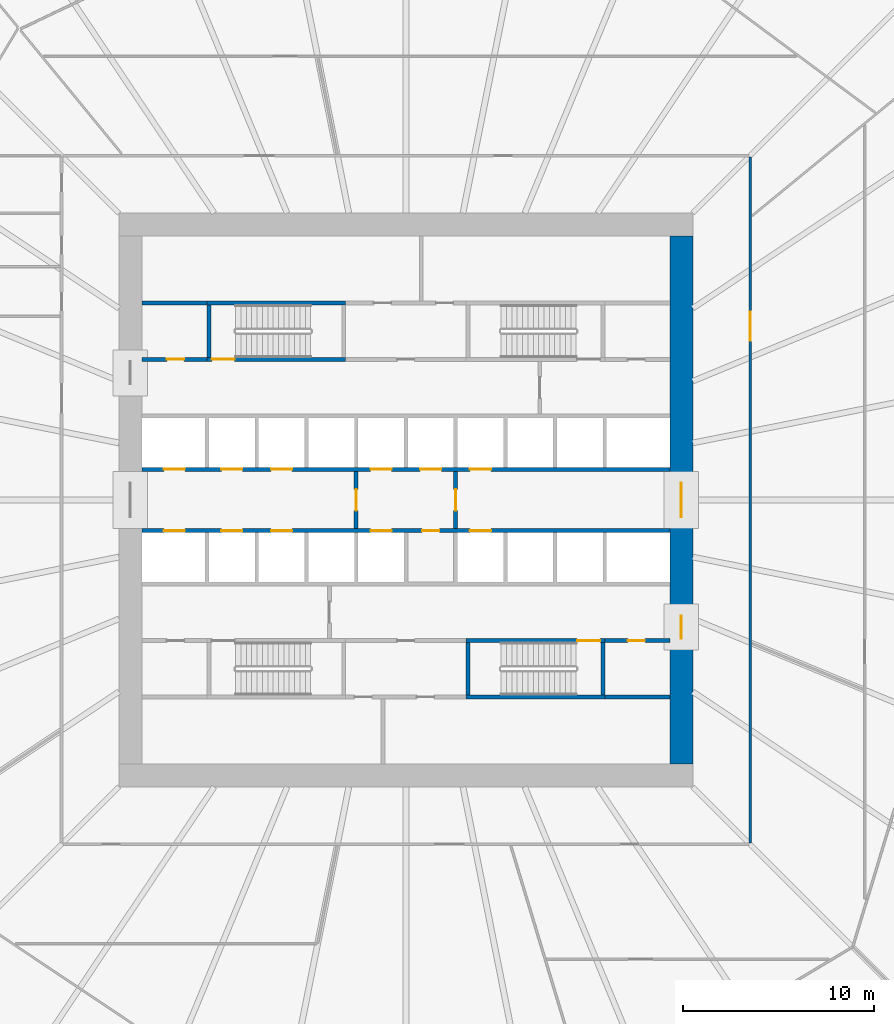
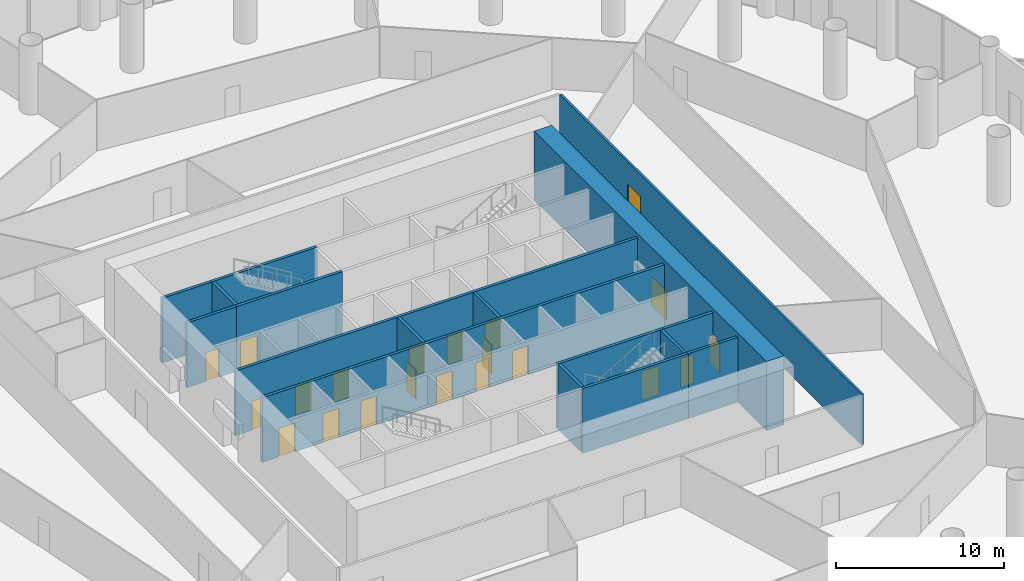
# One storey, part 24 of 35: 21 doors, 17 walls, 21 openings.
"""IFC4 building model written with IfcOpenShell, lengths in metres."""

from ifc_helpers import new_model, si_unit, direction, frame, frame_2d, origin, place, context, subcontext, project, spatial, polyline, rectangle, outline, extrude, material, layer, layer_set, type_object, element, fill, save


model = new_model("IFC4")

# Units and contexts
model_context = context("Model", 3, precision=1e-05, world=origin(), true_north=direction((0.0, 1.0)))
body_context = subcontext(model_context, "Body", "Model", "MODEL_VIEW")
ifc_project = project(units=[si_unit("LENGTHUNIT", "METRE"), si_unit("AREAUNIT", "SQUARE_METRE"), si_unit("VOLUMEUNIT", "CUBIC_METRE"), si_unit("PLANEANGLEUNIT", "RADIAN"), si_unit("MASSUNIT", "GRAM", prefix="KILO")], contexts=[model_context])

# Site, building, storey
site_placement = place(None, origin())
site = spatial("IfcSite", under=ifc_project, at=site_placement, CompositionType="ELEMENT")
building_placement = place(site_placement, origin())
building = spatial("IfcBuilding", under=site, at=building_placement, Name="Corvane Civic Tower", CompositionType="ELEMENT")
storey_placement = place(building_placement, frame((0.0, 0.0, 22.0)))
storey = spatial("IfcBuildingStorey", under=building, at=storey_placement, Name="L04", CompositionType="ELEMENT", Elevation=22.0)

# Wall, openings, doors
ifc_material_1 = material(Name="Concrete C80/95", Category="concrete")
ifc_layer_1 = layer(ifc_material_1, 1.199951171875)
ifc_layer_set_1 = layer_set([ifc_layer_1], Name="Concrete C80/95")
wall_type_1 = type_object("IfcWallType", Name="CORE WALL 1200 C80/95", PredefinedType="SHEAR", material=ifc_layer_set_1)
wall_1_placement = place(storey_placement, frame((14.39990234375, -13.800048828125, 0.0), z_axis=(0.0, 0.0, 1.0), x_axis=(0.0, 1.0, 0.0)))
wall_1 = element("IfcWall", 1, at=wall_1_placement, inside=storey, type_object=wall_type_1, Name="W-L04-core-E", PredefinedType="SHEAR", context=body_context, shape_type="SweptSolid", body=[
    extrude(rectangle(XDim=27.60009765625, YDim=1.199951171875, at=frame_2d((13.800048828125, 0.0))), origin(), (0.0, 0.0, 1.0), 5.0),
])
opening_1_placement = place(wall_1_placement, frame((12.89990234375, 0.0, 0.0)))
opening_1 = element("IfcOpeningElement", 2, at=opening_1_placement, cuts=wall_1, Name="Opening L04.C21", PredefinedType="OPENING", context=body_context, shape_type="SweptSolid", body=[
    extrude(rectangle(XDim=1.800048828125, YDim=2.10009765625, at=frame_2d((0.89990234375, 1.050048828125))), frame((0.0, 0.60986328125, 0.0), z_axis=(0.0, -1.0, 0.0), x_axis=(1.0, 0.0, 0.0)), (0.0, 0.0, 1.0), 1.219970703125),
])
opening_2_placement = place(wall_1_placement, frame((6.550048828125, 0.0, 0.0)))
opening_2 = element("IfcOpeningElement", 3, at=opening_2_placement, cuts=wall_1, Name="Opening L04.C23", PredefinedType="OPENING", context=body_context, shape_type="SweptSolid", body=[
    extrude(rectangle(XDim=1.199951171875, YDim=2.10009765625, at=frame_2d((0.60009765625, 1.050048828125))), frame((0.0, 0.60986328125, 0.0), z_axis=(0.0, -1.0, 0.0), x_axis=(1.0, 0.0, 0.0)), (0.0, 0.0, 1.0), 1.219970703125),
])
ifc_material_2 = material(Name="Steel fire door leaf", Category="steel")
door_type_1 = type_object("IfcDoorType", Name="CR-DOOR-CORE-1800", OperationType="DOUBLE_DOOR_SINGLE_SWING", PredefinedType="DOOR", material=ifc_material_2)
door_1_placement = place(opening_1_placement, origin())
door_1 = element("IfcDoor", 4, at=door_1_placement, inside=storey, type_object=door_type_1, Name="L04 door", OperationType="DOUBLE_DOOR_SINGLE_SWING", OverallHeight=2.10009765625, OverallWidth=1.800048828125, PredefinedType="DOOR", context=body_context, shape_type="SweptSolid", body=[
    extrude(rectangle(XDim=1.800048828125, YDim=2.10009765625, at=frame_2d((0.89990234375, 1.050048828125))), frame((0.0, 0.02490234375, 0.0), z_axis=(0.0, -1.0, 0.0), x_axis=(1.0, 0.0, 0.0)), (0.0, 0.0, 1.0), 0.050048828125),
])
fill(opening_1, door_1)
door_2_placement = place(opening_2_placement, origin())
door_2 = element("IfcDoor", 5, at=door_2_placement, inside=storey, type_object=door_type_1, Name="L04 door", OperationType="DOUBLE_DOOR_SINGLE_SWING", OverallHeight=2.10009765625, OverallWidth=1.199951171875, PredefinedType="DOOR", context=body_context, shape_type="SweptSolid", body=[
    extrude(rectangle(XDim=1.199951171875, YDim=2.10009765625, at=frame_2d((0.60009765625, 1.050048828125))), frame((0.0, 0.02490234375, 0.0), z_axis=(0.0, -1.0, 0.0), x_axis=(1.0, 0.0, 0.0)), (0.0, 0.0, 1.0), 0.050048828125),
])
fill(opening_2, door_2)

# Wall, opening, door
ifc_material_3 = material(Name="Concrete C30/37", Category="concrete")
ifc_layer_2 = layer(ifc_material_3, 0.199951171875)
ifc_layer_set_2 = layer_set([ifc_layer_2], Name="Concrete C30/37")
wall_type_2 = type_object("IfcWallType", Name="CR-WALL-200", PredefinedType="PARTITIONING", material=ifc_layer_set_2)
wall_2_placement = place(storey_placement, frame((10.39990234375, -7.35009765625, 0.0), z_axis=(0.0, 0.0, 1.0), x_axis=(1.0, 0.0, 0.0)))
wall_2 = element("IfcWall", 6, at=wall_2_placement, inside=storey, type_object=wall_type_2, Name="L04 core partition wall", PredefinedType="PARTITIONING", context=body_context, shape_type="SweptSolid", body=[
    extrude(rectangle(XDim=3.400146484375, YDim=0.199951171875, at=frame_2d((1.7001953125, 0.0))), origin(), (0.0, 0.0, 1.0), 4.699951171875),
])
opening_3_placement = place(wall_2_placement, frame((1.199951171875, 0.0, 0.0)))
opening_3 = element("IfcOpeningElement", 7, at=opening_3_placement, cuts=wall_2, Name="Opening L04.C11", PredefinedType="OPENING", context=body_context, shape_type="SweptSolid", body=[
    extrude(rectangle(XDim=0.89990234375, YDim=2.10009765625, at=frame_2d((0.449951171875, 1.050048828125))), frame((0.0, 0.10986328125, 0.0), z_axis=(0.0, -1.0, 0.0), x_axis=(1.0, 0.0, 0.0)), (0.0, 0.0, 1.0), 0.219970703125),
])
ifc_material_4 = material(Name="Steel fire door leaf", Category="steel")
door_type_2 = type_object("IfcDoorType", Name="CR-DOOR-900", OperationType="SINGLE_SWING_LEFT", PredefinedType="DOOR", material=ifc_material_4)
door_3_placement = place(opening_3_placement, origin())
door_3 = element("IfcDoor", 8, at=door_3_placement, inside=storey, type_object=door_type_2, Name="L04 door", OperationType="SINGLE_SWING_LEFT", OverallHeight=2.10009765625, OverallWidth=0.89990234375, PredefinedType="DOOR", context=body_context, shape_type="SweptSolid", body=[
    extrude(rectangle(XDim=0.89990234375, YDim=2.10009765625, at=frame_2d((0.449951171875, 1.050048828125))), frame((0.0, 0.02490234375, 0.0), z_axis=(0.0, -1.0, 0.0), x_axis=(1.0, 0.0, 0.0)), (0.0, 0.0, 1.0), 0.050048828125),
])
fill(opening_3, door_3)

# Wall, openings, doors
wall_3_placement = place(storey_placement, frame((-13.800048828125, -1.60009765625, 0.0), z_axis=(0.0, 0.0, 1.0), x_axis=(1.0, 0.0, 0.0)))
wall_3 = element("IfcWall", 9, at=wall_3_placement, inside=storey, type_object=wall_type_2, Name="L04 lift shaft wall", PredefinedType="PARTITIONING", context=body_context, shape_type="SweptSolid", body=[
    extrude(rectangle(XDim=27.60009765625, YDim=0.199951171875, at=frame_2d((13.800048828125, 0.0))), origin(), (0.0, 0.0, 1.0), 4.699951171875),
])
opening_4_placement = place(wall_3_placement, frame((1.14990234375, 0.0, 0.0)))
opening_4 = element("IfcOpeningElement", 10, at=opening_4_placement, cuts=wall_3, Name="Opening LD", PredefinedType="OPENING", context=body_context, shape_type="SweptSolid", body=[
    extrude(rectangle(XDim=1.10009765625, YDim=2.10009765625, at=frame_2d((0.550048828125, 1.050048828125))), frame((0.0, 0.10986328125, 0.0), z_axis=(0.0, -1.0, 0.0), x_axis=(1.0, 0.0, 0.0)), (0.0, 0.0, 1.0), 0.219970703125),
])
opening_5_placement = place(wall_3_placement, frame((4.14990234375, 0.0, 0.0)))
opening_5 = element("IfcOpeningElement", 11, at=opening_5_placement, cuts=wall_3, Name="Opening LD", PredefinedType="OPENING", context=body_context, shape_type="SweptSolid", body=[
    extrude(rectangle(XDim=1.10009765625, YDim=2.10009765625, at=frame_2d((0.550048828125, 1.050048828125))), frame((0.0, 0.10986328125, 0.0), z_axis=(0.0, -1.0, 0.0), x_axis=(1.0, 0.0, 0.0)), (0.0, 0.0, 1.0), 0.219970703125),
])
opening_6_placement = place(wall_3_placement, frame((6.75, 0.0, 0.0)))
opening_6 = element("IfcOpeningElement", 12, at=opening_6_placement, cuts=wall_3, Name="Opening LD", PredefinedType="OPENING", context=body_context, shape_type="SweptSolid", body=[
    extrude(rectangle(XDim=1.10009765625, YDim=2.10009765625, at=frame_2d((0.550048828125, 1.050048828125))), frame((0.0, 0.10986328125, 0.0), z_axis=(0.0, -1.0, 0.0), x_axis=(1.0, 0.0, 0.0)), (0.0, 0.0, 1.0), 0.219970703125),
])
opening_7_placement = place(wall_3_placement, frame((11.949951171875, 0.0, 0.0)))
opening_7 = element("IfcOpeningElement", 13, at=opening_7_placement, cuts=wall_3, Name="Opening LD", PredefinedType="OPENING", context=body_context, shape_type="SweptSolid", body=[
    extrude(rectangle(XDim=1.10009765625, YDim=2.10009765625, at=frame_2d((0.550048828125, 1.050048828125))), frame((0.0, 0.10986328125, 0.0), z_axis=(0.0, -1.0, 0.0), x_axis=(1.0, 0.0, 0.0)), (0.0, 0.0, 1.0), 0.219970703125),
])
opening_8_placement = place(wall_3_placement, frame((14.64990234375, 0.0, 0.0)))
opening_8 = element("IfcOpeningElement", 14, at=opening_8_placement, cuts=wall_3, Name="Opening L04.C01", PredefinedType="OPENING", context=body_context, shape_type="SweptSolid", body=[
    extrude(rectangle(XDim=0.89990234375, YDim=2.10009765625, at=frame_2d((0.449951171875, 1.050048828125))), frame((0.0, 0.10986328125, 0.0), z_axis=(0.0, -1.0, 0.0), x_axis=(1.0, 0.0, 0.0)), (0.0, 0.0, 1.0), 0.219970703125),
])
opening_9_placement = place(wall_3_placement, frame((17.14990234375, 0.0, 0.0)))
opening_9 = element("IfcOpeningElement", 15, at=opening_9_placement, cuts=wall_3, Name="Opening LD", PredefinedType="OPENING", context=body_context, shape_type="SweptSolid", body=[
    extrude(rectangle(XDim=1.10009765625, YDim=2.10009765625, at=frame_2d((0.550048828125, 1.050048828125))), frame((0.0, 0.10986328125, 0.0), z_axis=(0.0, -1.0, 0.0), x_axis=(1.0, 0.0, 0.0)), (0.0, 0.0, 1.0), 0.219970703125),
])
door_4_placement = place(opening_8_placement, origin())
door_4 = element("IfcDoor", 16, at=door_4_placement, inside=storey, type_object=door_type_2, Name="L04 door", OperationType="SINGLE_SWING_LEFT", OverallHeight=2.10009765625, OverallWidth=0.89990234375, PredefinedType="DOOR", context=body_context, shape_type="SweptSolid", body=[
    extrude(rectangle(XDim=0.89990234375, YDim=2.10009765625, at=frame_2d((0.449951171875, 1.050048828125))), frame((0.0, 0.02490234375, 0.0), z_axis=(0.0, -1.0, 0.0), x_axis=(1.0, 0.0, 0.0)), (0.0, 0.0, 1.0), 0.050048828125),
])
fill(opening_8, door_4)
ifc_material_5 = material(Name="Stainless steel 316 door leaves", Category="steel")
door_type_3 = type_object("IfcDoorType", Name="LD", OperationType="DOUBLE_DOOR_SLIDING", PredefinedType="DOOR", material=ifc_material_5)
door_5_placement = place(opening_4_placement, origin())
door_5 = element("IfcDoor", 17, at=door_5_placement, inside=storey, type_object=door_type_3, Name="L04 landing door", OperationType="DOUBLE_DOOR_SLIDING", OverallHeight=2.10009765625, OverallWidth=1.10009765625, PredefinedType="DOOR", context=body_context, shape_type="SweptSolid", body=[
    extrude(rectangle(XDim=1.10009765625, YDim=2.10009765625, at=frame_2d((0.550048828125, 1.050048828125))), frame((0.0, 0.02490234375, 0.0), z_axis=(0.0, -1.0, 0.0), x_axis=(1.0, 0.0, 0.0)), (0.0, 0.0, 1.0), 0.050048828125),
])
fill(opening_4, door_5)
door_6_placement = place(opening_5_placement, origin())
door_6 = element("IfcDoor", 18, at=door_6_placement, inside=storey, type_object=door_type_3, Name="L04 landing door", OperationType="DOUBLE_DOOR_SLIDING", OverallHeight=2.10009765625, OverallWidth=1.10009765625, PredefinedType="DOOR", context=body_context, shape_type="SweptSolid", body=[
    extrude(rectangle(XDim=1.10009765625, YDim=2.10009765625, at=frame_2d((0.550048828125, 1.050048828125))), frame((0.0, 0.02490234375, 0.0), z_axis=(0.0, -1.0, 0.0), x_axis=(1.0, 0.0, 0.0)), (0.0, 0.0, 1.0), 0.050048828125),
])
fill(opening_5, door_6)
door_7_placement = place(opening_6_placement, origin())
door_7 = element("IfcDoor", 19, at=door_7_placement, inside=storey, type_object=door_type_3, Name="L04 landing door", OperationType="DOUBLE_DOOR_SLIDING", OverallHeight=2.10009765625, OverallWidth=1.10009765625, PredefinedType="DOOR", context=body_context, shape_type="SweptSolid", body=[
    extrude(rectangle(XDim=1.10009765625, YDim=2.10009765625, at=frame_2d((0.550048828125, 1.050048828125))), frame((0.0, 0.02490234375, 0.0), z_axis=(0.0, -1.0, 0.0), x_axis=(1.0, 0.0, 0.0)), (0.0, 0.0, 1.0), 0.050048828125),
])
fill(opening_6, door_7)
door_8_placement = place(opening_7_placement, origin())
door_8 = element("IfcDoor", 20, at=door_8_placement, inside=storey, type_object=door_type_3, Name="L04 landing door", OperationType="DOUBLE_DOOR_SLIDING", OverallHeight=2.10009765625, OverallWidth=1.10009765625, PredefinedType="DOOR", context=body_context, shape_type="SweptSolid", body=[
    extrude(rectangle(XDim=1.10009765625, YDim=2.10009765625, at=frame_2d((0.550048828125, 1.050048828125))), frame((0.0, 0.02490234375, 0.0), z_axis=(0.0, -1.0, 0.0), x_axis=(1.0, 0.0, 0.0)), (0.0, 0.0, 1.0), 0.050048828125),
])
fill(opening_7, door_8)
door_9_placement = place(opening_9_placement, origin())
door_9 = element("IfcDoor", 21, at=door_9_placement, inside=storey, type_object=door_type_3, Name="L04 landing door", OperationType="DOUBLE_DOOR_SLIDING", OverallHeight=2.10009765625, OverallWidth=1.10009765625, PredefinedType="DOOR", context=body_context, shape_type="SweptSolid", body=[
    extrude(rectangle(XDim=1.10009765625, YDim=2.10009765625, at=frame_2d((0.550048828125, 1.050048828125))), frame((0.0, 0.02490234375, 0.0), z_axis=(0.0, -1.0, 0.0), x_axis=(1.0, 0.0, 0.0)), (0.0, 0.0, 1.0), 0.050048828125),
])
fill(opening_9, door_9)

wall_4_placement = place(storey_placement, frame((-13.800048828125, 1.60009765625, 0.0), z_axis=(0.0, 0.0, 1.0), x_axis=(1.0, 0.0, 0.0)))
wall_4 = element("IfcWall", 22, at=wall_4_placement, inside=storey, type_object=wall_type_2, Name="L04 lift shaft wall", PredefinedType="PARTITIONING", context=body_context, shape_type="SweptSolid", body=[
    extrude(rectangle(XDim=27.60009765625, YDim=0.199951171875, at=frame_2d((13.800048828125, 0.0))), origin(), (0.0, 0.0, 1.0), 4.699951171875),
])
opening_10_placement = place(wall_4_placement, frame((1.14990234375, 0.0, 0.0)))
opening_10 = element("IfcOpeningElement", 23, at=opening_10_placement, cuts=wall_4, Name="Opening LD", PredefinedType="OPENING", context=body_context, shape_type="SweptSolid", body=[
    extrude(rectangle(XDim=1.10009765625, YDim=2.10009765625, at=frame_2d((0.550048828125, 1.050048828125))), frame((0.0, 0.10986328125, 0.0), z_axis=(0.0, -1.0, 0.0), x_axis=(1.0, 0.0, 0.0)), (0.0, 0.0, 1.0), 0.219970703125),
])
opening_11_placement = place(wall_4_placement, frame((4.14990234375, 0.0, 0.0)))
opening_11 = element("IfcOpeningElement", 24, at=opening_11_placement, cuts=wall_4, Name="Opening LD", PredefinedType="OPENING", context=body_context, shape_type="SweptSolid", body=[
    extrude(rectangle(XDim=1.10009765625, YDim=2.10009765625, at=frame_2d((0.550048828125, 1.050048828125))), frame((0.0, 0.10986328125, 0.0), z_axis=(0.0, -1.0, 0.0), x_axis=(1.0, 0.0, 0.0)), (0.0, 0.0, 1.0), 0.219970703125),
])
opening_12_placement = place(wall_4_placement, frame((6.75, 0.0, 0.0)))
opening_12 = element("IfcOpeningElement", 25, at=opening_12_placement, cuts=wall_4, Name="Opening LD", PredefinedType="OPENING", context=body_context, shape_type="SweptSolid", body=[
    extrude(rectangle(XDim=1.10009765625, YDim=2.10009765625, at=frame_2d((0.550048828125, 1.050048828125))), frame((0.0, 0.10986328125, 0.0), z_axis=(0.0, -1.0, 0.0), x_axis=(1.0, 0.0, 0.0)), (0.0, 0.0, 1.0), 0.219970703125),
])
opening_13_placement = place(wall_4_placement, frame((11.949951171875, 0.0, 0.0)))
opening_13 = element("IfcOpeningElement", 26, at=opening_13_placement, cuts=wall_4, Name="Opening LD", PredefinedType="OPENING", context=body_context, shape_type="SweptSolid", body=[
    extrude(rectangle(XDim=1.10009765625, YDim=2.10009765625, at=frame_2d((0.550048828125, 1.050048828125))), frame((0.0, 0.10986328125, 0.0), z_axis=(0.0, -1.0, 0.0), x_axis=(1.0, 0.0, 0.0)), (0.0, 0.0, 1.0), 0.219970703125),
])
opening_14_placement = place(wall_4_placement, frame((14.550048828125, 0.0, 0.0)))
opening_14 = element("IfcOpeningElement", 27, at=opening_14_placement, cuts=wall_4, Name="Opening LD", PredefinedType="OPENING", context=body_context, shape_type="SweptSolid", body=[
    extrude(rectangle(XDim=1.10009765625, YDim=2.10009765625, at=frame_2d((0.550048828125, 1.050048828125))), frame((0.0, 0.10986328125, 0.0), z_axis=(0.0, -1.0, 0.0), x_axis=(1.0, 0.0, 0.0)), (0.0, 0.0, 1.0), 0.219970703125),
])
opening_15_placement = place(wall_4_placement, frame((17.14990234375, 0.0, 0.0)))
opening_15 = element("IfcOpeningElement", 28, at=opening_15_placement, cuts=wall_4, Name="Opening LD", PredefinedType="OPENING", context=body_context, shape_type="SweptSolid", body=[
    extrude(rectangle(XDim=1.10009765625, YDim=2.10009765625, at=frame_2d((0.550048828125, 1.050048828125))), frame((0.0, 0.10986328125, 0.0), z_axis=(0.0, -1.0, 0.0), x_axis=(1.0, 0.0, 0.0)), (0.0, 0.0, 1.0), 0.219970703125),
])
door_10_placement = place(opening_10_placement, origin())
door_10 = element("IfcDoor", 29, at=door_10_placement, inside=storey, type_object=door_type_3, Name="L04 landing door", OperationType="DOUBLE_DOOR_SLIDING", OverallHeight=2.10009765625, OverallWidth=1.10009765625, PredefinedType="DOOR", context=body_context, shape_type="SweptSolid", body=[
    extrude(rectangle(XDim=1.10009765625, YDim=2.10009765625, at=frame_2d((0.550048828125, 1.050048828125))), frame((0.0, 0.02490234375, 0.0), z_axis=(0.0, -1.0, 0.0), x_axis=(1.0, 0.0, 0.0)), (0.0, 0.0, 1.0), 0.050048828125),
])
fill(opening_10, door_10)
door_11_placement = place(opening_11_placement, origin())
door_11 = element("IfcDoor", 30, at=door_11_placement, inside=storey, type_object=door_type_3, Name="L04 landing door", OperationType="DOUBLE_DOOR_SLIDING", OverallHeight=2.10009765625, OverallWidth=1.10009765625, PredefinedType="DOOR", context=body_context, shape_type="SweptSolid", body=[
    extrude(rectangle(XDim=1.10009765625, YDim=2.10009765625, at=frame_2d((0.550048828125, 1.050048828125))), frame((0.0, 0.02490234375, 0.0), z_axis=(0.0, -1.0, 0.0), x_axis=(1.0, 0.0, 0.0)), (0.0, 0.0, 1.0), 0.050048828125),
])
fill(opening_11, door_11)
door_12_placement = place(opening_12_placement, origin())
door_12 = element("IfcDoor", 31, at=door_12_placement, inside=storey, type_object=door_type_3, Name="L04 landing door", OperationType="DOUBLE_DOOR_SLIDING", OverallHeight=2.10009765625, OverallWidth=1.10009765625, PredefinedType="DOOR", context=body_context, shape_type="SweptSolid", body=[
    extrude(rectangle(XDim=1.10009765625, YDim=2.10009765625, at=frame_2d((0.550048828125, 1.050048828125))), frame((0.0, 0.02490234375, 0.0), z_axis=(0.0, -1.0, 0.0), x_axis=(1.0, 0.0, 0.0)), (0.0, 0.0, 1.0), 0.050048828125),
])
fill(opening_12, door_12)
door_13_placement = place(opening_13_placement, origin())
door_13 = element("IfcDoor", 32, at=door_13_placement, inside=storey, type_object=door_type_3, Name="L04 landing door", OperationType="DOUBLE_DOOR_SLIDING", OverallHeight=2.10009765625, OverallWidth=1.10009765625, PredefinedType="DOOR", context=body_context, shape_type="SweptSolid", body=[
    extrude(rectangle(XDim=1.10009765625, YDim=2.10009765625, at=frame_2d((0.550048828125, 1.050048828125))), frame((0.0, 0.02490234375, 0.0), z_axis=(0.0, -1.0, 0.0), x_axis=(1.0, 0.0, 0.0)), (0.0, 0.0, 1.0), 0.050048828125),
])
fill(opening_13, door_13)
door_14_placement = place(opening_14_placement, origin())
door_14 = element("IfcDoor", 33, at=door_14_placement, inside=storey, type_object=door_type_3, Name="L04 landing door", OperationType="DOUBLE_DOOR_SLIDING", OverallHeight=2.10009765625, OverallWidth=1.10009765625, PredefinedType="DOOR", context=body_context, shape_type="SweptSolid", body=[
    extrude(rectangle(XDim=1.10009765625, YDim=2.10009765625, at=frame_2d((0.550048828125, 1.050048828125))), frame((0.0, 0.02490234375, 0.0), z_axis=(0.0, -1.0, 0.0), x_axis=(1.0, 0.0, 0.0)), (0.0, 0.0, 1.0), 0.050048828125),
])
fill(opening_14, door_14)
door_15_placement = place(opening_15_placement, origin())
door_15 = element("IfcDoor", 34, at=door_15_placement, inside=storey, type_object=door_type_3, Name="L04 landing door", OperationType="DOUBLE_DOOR_SLIDING", OverallHeight=2.10009765625, OverallWidth=1.10009765625, PredefinedType="DOOR", context=body_context, shape_type="SweptSolid", body=[
    extrude(rectangle(XDim=1.10009765625, YDim=2.10009765625, at=frame_2d((0.550048828125, 1.050048828125))), frame((0.0, 0.02490234375, 0.0), z_axis=(0.0, -1.0, 0.0), x_axis=(1.0, 0.0, 0.0)), (0.0, 0.0, 1.0), 0.050048828125),
])
fill(opening_15, door_15)

# Wall, opening, door
wall_5_placement = place(storey_placement, frame((-13.800048828125, 7.35009765625, 0.0), z_axis=(0.0, 0.0, 1.0), x_axis=(1.0, 0.0, 0.0)))
wall_5 = element("IfcWall", 35, at=wall_5_placement, inside=storey, type_object=wall_type_2, Name="L04 core partition wall", PredefinedType="PARTITIONING", context=body_context, shape_type="SweptSolid", body=[
    extrude(rectangle(XDim=3.400146484375, YDim=0.199951171875, at=frame_2d((1.7001953125, 0.0))), origin(), (0.0, 0.0, 1.0), 4.699951171875),
])
opening_16_placement = place(wall_5_placement, frame((1.300048828125, 0.0, 0.0)))
opening_16 = element("IfcOpeningElement", 36, at=opening_16_placement, cuts=wall_5, Name="Opening L04.C08", PredefinedType="OPENING", context=body_context, shape_type="SweptSolid", body=[
    extrude(rectangle(XDim=0.89990234375, YDim=2.10009765625, at=frame_2d((0.449951171875, 1.050048828125))), frame((0.0, 0.10986328125, 0.0), z_axis=(0.0, -1.0, 0.0), x_axis=(1.0, 0.0, 0.0)), (0.0, 0.0, 1.0), 0.219970703125),
])
door_16_placement = place(opening_16_placement, origin())
door_16 = element("IfcDoor", 37, at=door_16_placement, inside=storey, type_object=door_type_2, Name="L04 door", OperationType="SINGLE_SWING_LEFT", OverallHeight=2.10009765625, OverallWidth=0.89990234375, PredefinedType="DOOR", context=body_context, shape_type="SweptSolid", body=[
    extrude(rectangle(XDim=0.89990234375, YDim=2.10009765625, at=frame_2d((0.449951171875, 1.050048828125))), frame((0.0, 0.02490234375, 0.0), z_axis=(0.0, -1.0, 0.0), x_axis=(1.0, 0.0, 0.0)), (0.0, 0.0, 1.0), 0.050048828125),
])
fill(opening_16, door_16)

wall_6_placement = place(storey_placement, frame((-2.60009765625, -1.5, 0.0), z_axis=(0.0, 0.0, 1.0), x_axis=(0.0, 1.0, 0.0)))
wall_6 = element("IfcWall", 38, at=wall_6_placement, inside=storey, type_object=wall_type_2, Name="L04 firefighting lobby wall", PredefinedType="PARTITIONING", context=body_context, shape_type="SweptSolid", body=[
    extrude(rectangle(XDim=3.0, YDim=0.199951171875, at=frame_2d((1.5, 0.0))), origin(), (0.0, 0.0, 1.0), 4.699951171875),
])
opening_17_placement = place(wall_6_placement, frame((0.949951171875, 0.0, 0.0)))
opening_17 = element("IfcOpeningElement", 39, at=opening_17_placement, cuts=wall_6, Name="Opening L04.C16", PredefinedType="OPENING", context=body_context, shape_type="SweptSolid", body=[
    extrude(rectangle(XDim=1.10009765625, YDim=2.10009765625, at=frame_2d((0.550048828125, 1.050048828125))), frame((0.0, 0.10986328125, 0.0), z_axis=(0.0, -1.0, 0.0), x_axis=(1.0, 0.0, 0.0)), (0.0, 0.0, 1.0), 0.219970703125),
])
ifc_material_6 = material(Name="Steel fire door leaf", Category="steel")
door_type_4 = type_object("IfcDoorType", Name="CR-DOOR-FFL-1100", OperationType="SINGLE_SWING_LEFT", PredefinedType="DOOR", material=ifc_material_6)
door_17_placement = place(opening_17_placement, origin())
door_17 = element("IfcDoor", 40, at=door_17_placement, inside=storey, type_object=door_type_4, Name="L04 lobby door", OperationType="SINGLE_SWING_LEFT", OverallHeight=2.10009765625, OverallWidth=1.10009765625, PredefinedType="DOOR", context=body_context, shape_type="SweptSolid", body=[
    extrude(rectangle(XDim=1.10009765625, YDim=2.10009765625, at=frame_2d((0.550048828125, 1.050048828125))), frame((0.0, 0.02490234375, 0.0), z_axis=(0.0, -1.0, 0.0), x_axis=(1.0, 0.0, 0.0)), (0.0, 0.0, 1.0), 0.050048828125),
])
fill(opening_17, door_17)

wall_7_placement = place(storey_placement, frame((2.60009765625, -1.5, 0.0), z_axis=(0.0, 0.0, 1.0), x_axis=(0.0, 1.0, 0.0)))
wall_7 = element("IfcWall", 41, at=wall_7_placement, inside=storey, type_object=wall_type_2, Name="L04 firefighting lobby wall", PredefinedType="PARTITIONING", context=body_context, shape_type="SweptSolid", body=[
    extrude(rectangle(XDim=3.0, YDim=0.199951171875, at=frame_2d((1.5, 0.0))), origin(), (0.0, 0.0, 1.0), 4.699951171875),
])
opening_18_placement = place(wall_7_placement, frame((0.949951171875, 0.0, 0.0)))
opening_18 = element("IfcOpeningElement", 42, at=opening_18_placement, cuts=wall_7, Name="Opening L04.C17", PredefinedType="OPENING", context=body_context, shape_type="SweptSolid", body=[
    extrude(rectangle(XDim=1.10009765625, YDim=2.10009765625, at=frame_2d((0.550048828125, 1.050048828125))), frame((0.0, 0.10986328125, 0.0), z_axis=(0.0, -1.0, 0.0), x_axis=(1.0, 0.0, 0.0)), (0.0, 0.0, 1.0), 0.219970703125),
])
door_18_placement = place(opening_18_placement, origin())
door_18 = element("IfcDoor", 43, at=door_18_placement, inside=storey, type_object=door_type_4, Name="L04 lobby door", OperationType="SINGLE_SWING_LEFT", OverallHeight=2.10009765625, OverallWidth=1.10009765625, PredefinedType="DOOR", context=body_context, shape_type="SweptSolid", body=[
    extrude(rectangle(XDim=1.10009765625, YDim=2.10009765625, at=frame_2d((0.550048828125, 1.050048828125))), frame((0.0, 0.02490234375, 0.0), z_axis=(0.0, -1.0, 0.0), x_axis=(1.0, 0.0, 0.0)), (0.0, 0.0, 1.0), 0.050048828125),
])
fill(opening_18, door_18)

# Walls
wall_8_placement = place(storey_placement, origin())
element("IfcWall", 44, at=wall_8_placement, inside=storey, type_object=wall_type_2, Name="L04 core partition wall", PredefinedType="PARTITIONING", context=body_context, shape_type="SweptSolid", body=[
    extrude(outline(polyline([(-13.800048828125, 10.199951171875), (-13.800048828125, 10.39990234375), (-10.39990234375, 10.39990234375), (-10.39990234375, 10.199951171875), (-13.800048828125, 10.199951171875)])), origin(), (0.0, 0.0, 1.0), 4.699951171875),
])
wall_9_placement = place(storey_placement, origin())
element("IfcWall", 45, at=wall_9_placement, inside=storey, type_object=wall_type_2, Name="L04 core partition wall", PredefinedType="PARTITIONING", context=body_context, shape_type="SweptSolid", body=[
    extrude(outline(polyline([(13.800048828125, -10.39990234375), (10.39990234375, -10.39990234375), (10.39990234375, -10.199951171875), (13.800048828125, -10.199951171875), (13.800048828125, -10.39990234375)])), origin(), (0.0, 0.0, 1.0), 4.699951171875),
])

# Wall, opening, door
ifc_material_7 = material(Name="Concrete C50/60", Category="concrete")
ifc_layer_3 = layer(ifc_material_7, 0.199951171875)
ifc_layer_set_3 = layer_set([ifc_layer_3], Name="Concrete C50/60")
wall_type_3 = type_object("IfcWallType", Name="ST-WALL-200", PredefinedType="SHEAR", material=ifc_layer_set_3)
wall_10_placement = place(storey_placement, frame((3.14990234375, -7.35009765625, 0.0), z_axis=(0.0, 0.0, 1.0), x_axis=(1.0, 0.0, 0.0)))
wall_10 = element("IfcWall", 46, at=wall_10_placement, inside=storey, type_object=wall_type_3, Name="L04 stair enclosure wall", PredefinedType="SHEAR", context=body_context, shape_type="SweptSolid", body=[
    extrude(rectangle(XDim=7.25, YDim=0.199951171875, at=frame_2d((3.625, 0.0))), origin(), (0.0, 0.0, 1.0), 4.699951171875),
])
opening_19_placement = place(wall_10_placement, frame((5.800048828125, 0.0, 0.0)))
opening_19 = element("IfcOpeningElement", 47, at=opening_19_placement, cuts=wall_10, Name="Opening L04.C14", PredefinedType="OPENING", context=body_context, shape_type="SweptSolid", body=[
    extrude(rectangle(XDim=1.199951171875, YDim=2.10009765625, at=frame_2d((0.60009765625, 1.050048828125))), frame((0.0, 0.10986328125, 0.0), z_axis=(0.0, -1.0, 0.0), x_axis=(1.0, 0.0, 0.0)), (0.0, 0.0, 1.0), 0.219970703125),
])
ifc_material_8 = material(Name="Steel fire door leaf", Category="steel")
door_type_5 = type_object("IfcDoorType", Name="ST-DOOR-1200", OperationType="SINGLE_SWING_RIGHT", PredefinedType="DOOR", material=ifc_material_8)
door_19_placement = place(opening_19_placement, origin())
door_19 = element("IfcDoor", 48, at=door_19_placement, inside=storey, type_object=door_type_5, Name="L04 stair door", OperationType="SINGLE_SWING_RIGHT", OverallHeight=2.10009765625, OverallWidth=1.199951171875, PredefinedType="DOOR", context=body_context, shape_type="SweptSolid", body=[
    extrude(rectangle(XDim=1.199951171875, YDim=2.10009765625, at=frame_2d((0.60009765625, 1.050048828125))), frame((0.0, 0.02490234375, 0.0), z_axis=(0.0, -1.0, 0.0), x_axis=(1.0, 0.0, 0.0)), (0.0, 0.0, 1.0), 0.050048828125),
])
fill(opening_19, door_19)

wall_11_placement = place(storey_placement, frame((-10.39990234375, 7.35009765625, 0.0), z_axis=(0.0, 0.0, 1.0), x_axis=(1.0, 0.0, 0.0)))
wall_11 = element("IfcWall", 49, at=wall_11_placement, inside=storey, type_object=wall_type_3, Name="L04 stair enclosure wall", PredefinedType="SHEAR", context=body_context, shape_type="SweptSolid", body=[
    extrude(rectangle(XDim=7.25, YDim=0.199951171875, at=frame_2d((3.625, 0.0))), origin(), (0.0, 0.0, 1.0), 4.699951171875),
])
opening_20_placement = place(wall_11_placement, frame((0.25, 0.0, 0.0)))
opening_20 = element("IfcOpeningElement", 50, at=opening_20_placement, cuts=wall_11, Name="Opening L04.C13", PredefinedType="OPENING", context=body_context, shape_type="SweptSolid", body=[
    extrude(rectangle(XDim=1.199951171875, YDim=2.10009765625, at=frame_2d((0.60009765625, 1.050048828125))), frame((0.0, 0.10986328125, 0.0), z_axis=(0.0, -1.0, 0.0), x_axis=(1.0, 0.0, 0.0)), (0.0, 0.0, 1.0), 0.219970703125),
])
door_20_placement = place(opening_20_placement, origin())
door_20 = element("IfcDoor", 51, at=door_20_placement, inside=storey, type_object=door_type_5, Name="L04 stair door", OperationType="SINGLE_SWING_RIGHT", OverallHeight=2.10009765625, OverallWidth=1.199951171875, PredefinedType="DOOR", context=body_context, shape_type="SweptSolid", body=[
    extrude(rectangle(XDim=1.199951171875, YDim=2.10009765625, at=frame_2d((0.60009765625, 1.050048828125))), frame((0.0, 0.02490234375, 0.0), z_axis=(0.0, -1.0, 0.0), x_axis=(1.0, 0.0, 0.0)), (0.0, 0.0, 1.0), 0.050048828125),
])
fill(opening_20, door_20)

# Walls
wall_12_placement = place(storey_placement, origin())
element("IfcWall", 52, at=wall_12_placement, inside=storey, type_object=wall_type_3, Name="L04 stair enclosure wall", PredefinedType="SHEAR", context=body_context, shape_type="SweptSolid", body=[
    extrude(outline(polyline([(-3.14990234375, 10.199951171875), (-10.39990234375, 10.199951171875), (-10.39990234375, 10.39990234375), (-3.14990234375, 10.39990234375), (-3.14990234375, 10.199951171875)])), origin(), (0.0, 0.0, 1.0), 4.699951171875),
])
wall_13_placement = place(storey_placement, origin())
element("IfcWall", 53, at=wall_13_placement, inside=storey, type_object=wall_type_3, Name="L04 stair enclosure wall", PredefinedType="SHEAR", context=body_context, shape_type="SweptSolid", body=[
    extrude(outline(polyline([(10.39990234375, -10.39990234375), (3.14990234375, -10.39990234375), (3.14990234375, -10.199951171875), (10.39990234375, -10.199951171875), (10.39990234375, -10.39990234375)])), origin(), (0.0, 0.0, 1.0), 4.699951171875),
])
wall_14_placement = place(storey_placement, origin())
element("IfcWall", 54, at=wall_14_placement, inside=storey, type_object=wall_type_3, Name="L04 stair enclosure wall", PredefinedType="SHEAR", context=body_context, shape_type="SweptSolid", body=[
    extrude(outline(polyline([(3.35009765625, -7.449951171875), (3.35009765625, -10.199951171875), (3.14990234375, -10.199951171875), (3.14990234375, -7.449951171875), (3.35009765625, -7.449951171875)])), origin(), (0.0, 0.0, 1.0), 4.699951171875),
])
wall_15_placement = place(storey_placement, origin())
element("IfcWall", 55, at=wall_15_placement, inside=storey, type_object=wall_type_3, Name="L04 stair enclosure wall", PredefinedType="SHEAR", context=body_context, shape_type="SweptSolid", body=[
    extrude(outline(polyline([(-10.199951171875, 7.449951171875), (-10.39990234375, 7.449951171875), (-10.39990234375, 10.199951171875), (-10.199951171875, 10.199951171875), (-10.199951171875, 7.449951171875)])), origin(), (0.0, 0.0, 1.0), 4.699951171875),
])
wall_16_placement = place(storey_placement, origin())
element("IfcWall", 56, at=wall_16_placement, inside=storey, type_object=wall_type_3, Name="L04 stair enclosure wall", PredefinedType="SHEAR", context=body_context, shape_type="SweptSolid", body=[
    extrude(outline(polyline([(10.39990234375, -7.449951171875), (10.39990234375, -10.199951171875), (10.199951171875, -10.199951171875), (10.199951171875, -7.449951171875), (10.39990234375, -7.449951171875)])), origin(), (0.0, 0.0, 1.0), 4.699951171875),
])

# Wall, opening, door
ifc_material_9 = material(Name="Plasterboard")
ifc_layer_4 = layer(ifc_material_9, 0.14990234375)
ifc_layer_set_4 = layer_set([ifc_layer_4], Name="Plasterboard")
wall_type_4 = type_object("IfcWallType", Name="Tenancy wall 150 EI 60", PredefinedType="PARTITIONING", material=ifc_layer_set_4)
wall_17_placement = place(storey_placement, frame((18.0, -17.925048828125, 0.0), z_axis=(0.0, 0.0, 1.0), x_axis=(0.0, 1.0, 0.0)))
wall_17 = element("IfcWall", 57, at=wall_17_placement, inside=storey, type_object=wall_type_4, Name="Partition L04.020", PredefinedType="PARTITIONING", context=body_context, shape_type="SweptSolid", body=[
    extrude(rectangle(XDim=35.85009765625, YDim=0.14990234375, at=frame_2d((17.925048828125, 0.0))), origin(), (0.0, 0.0, 1.0), 3.699951171875),
])
opening_21_placement = place(wall_17_placement, frame((26.255126953125, 0.0, 0.0)))
opening_21 = element("IfcOpeningElement", 58, at=opening_21_placement, cuts=wall_17, Name="Opening L04.018", PredefinedType="OPENING", context=body_context, shape_type="SweptSolid", body=[
    extrude(rectangle(XDim=1.5, YDim=2.10009765625, at=frame_2d((0.75, 1.050048828125))), frame((0.0, 0.0849609375, 0.0), z_axis=(0.0, -1.0, 0.0), x_axis=(1.0, 0.0, 0.0)), (0.0, 0.0, 1.0), 0.169921875),
])
ifc_material_10 = material(Name="Steel and timber", Category="steel")
door_type_6 = type_object("IfcDoorType", Name="Fire door FD60 double 1500", OperationType="NOTDEFINED", PredefinedType="DOOR", material=ifc_material_10)
door_21_placement = place(opening_21_placement, frame((1.5, 0.0, 0.0), z_axis=(0.0, 0.0, 1.0), x_axis=(-1.0, 0.0, 0.0)))
door_21 = element("IfcDoor", 59, at=door_21_placement, inside=storey, type_object=door_type_6, Name="Door L04.018", OperationType="DOUBLE_DOOR_SINGLE_SWING", OverallHeight=2.10009765625, OverallWidth=1.5, PredefinedType="DOOR", context=body_context, shape_type="SweptSolid", body=[
    extrude(rectangle(XDim=1.5, YDim=2.10009765625, at=frame_2d((0.75, 1.050048828125))), frame((0.0, 0.02490234375, 0.0), z_axis=(0.0, -1.0, 0.0), x_axis=(1.0, 0.0, 0.0)), (0.0, 0.0, 1.0), 0.050048828125),
])
fill(opening_21, door_21)

save(model, "model.ifc")
